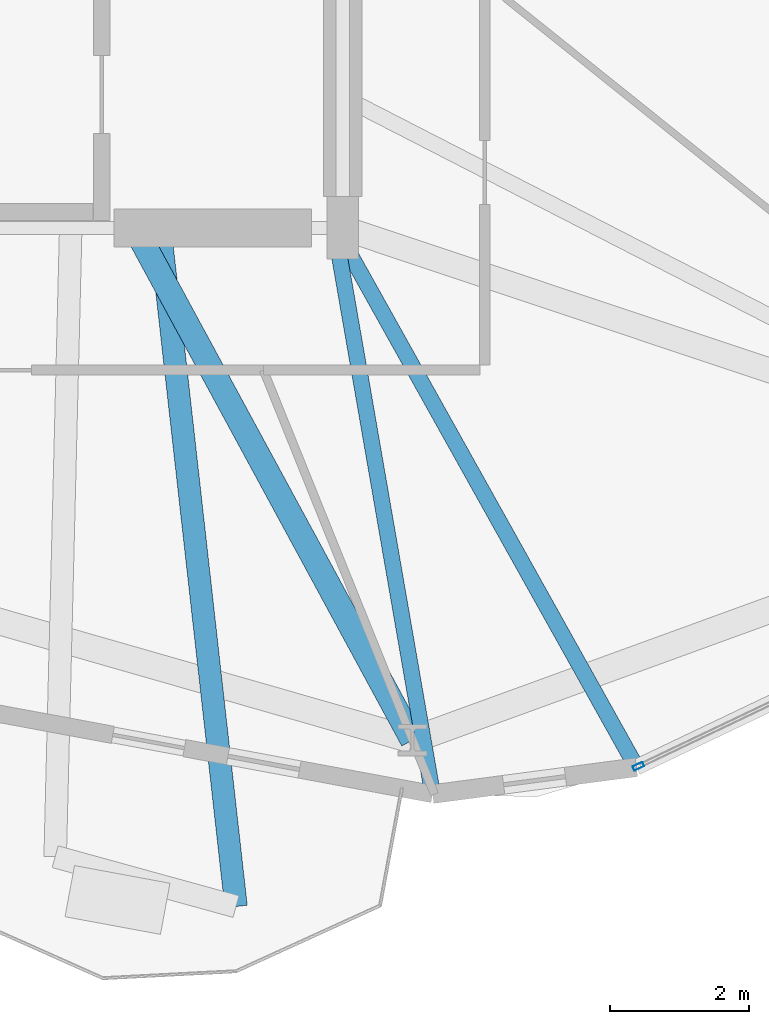
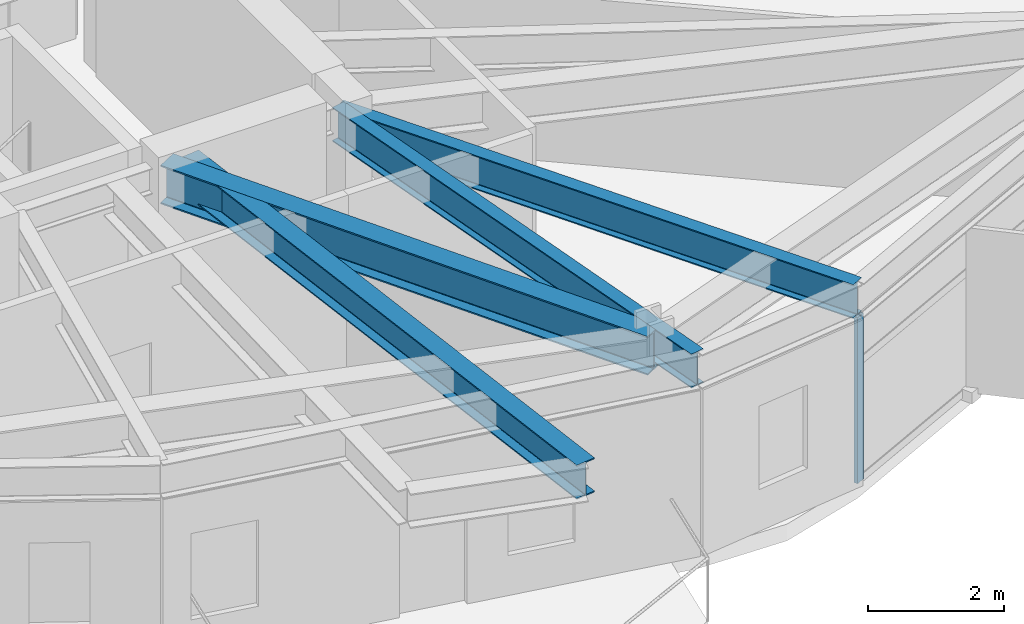
# One storey, part 5 of 25: 4 beams, 1 member, 1 element without a shape of its own.
"""IFC4 building model written with IfcOpenShell, lengths in metres."""

from ifc_helpers import new_model, si_unit, direction, frame, origin, origin_2d, place, context, subcontext, project, spatial, hollow_rectangle, i_section, extrude, material, layer, layer_set, material_profile, profile_set, type_object, element, aggregate, save


model = new_model("IFC4")

# Units and contexts
model_context = context("Model", 3, precision=1e-05, world=origin(), true_north=direction((0.0, 1.0)))
body_context = subcontext(model_context, "Body", "Model", "MODEL_VIEW")
ifc_project = project(units=[si_unit("LENGTHUNIT", "METRE"), si_unit("AREAUNIT", "SQUARE_METRE"), si_unit("VOLUMEUNIT", "CUBIC_METRE"), si_unit("PLANEANGLEUNIT", "RADIAN"), si_unit("MASSUNIT", "GRAM", prefix="KILO")], contexts=[model_context])

# Site, building, storey
site_placement = place(None, origin())
site = spatial("IfcSite", under=ifc_project, at=site_placement, CompositionType="ELEMENT")
building_placement = place(site_placement, origin())
building = spatial("IfcBuilding", under=site, at=building_placement, Name="Soratama Intermodal Tower", CompositionType="ELEMENT")
storey_placement = place(building_placement, frame((0.0, 0.0, 126.39990234375)))
storey = spatial("IfcBuildingStorey", under=building, at=storey_placement, Name="L30", CompositionType="ELEMENT", Elevation=126.39990234375)

# Beams
ifc_material_1 = material(Name="Structural steel ASTM A992 Grade 50", Category="steel")
ifc_material_profile_1 = material_profile(ifc_material_1, i_section(OverallWidth=0.324951171875, OverallDepth=0.615966796875, WebThickness=0.013916015625, FlangeThickness=0.021484375, FilletRadius=0.013916015625, at=origin_2d()), Name="W24X117")
ifc_profile_set_1 = profile_set([ifc_material_profile_1], Name="Structural steel ASTM A992 Grade 50")
beam_type_1 = type_object("IfcBeamType", Name="BM-CANT-W24X117", PredefinedType="BEAM", material=ifc_profile_set_1)
beam_1_placement = place(storey_placement, frame((41.966064453125, 14.9599609375, 3.2919921875), z_axis=(0.111504807962, -0.993763894394, 0.0), x_axis=(0.993763894394, 0.111504807962, 0.0)))
element("IfcBeam", 1, at=beam_1_placement, inside=storey, type_object=beam_type_1, Name="BM-L30-CANT-3-2", PredefinedType="BEAM", context=body_context, shape_type="SweptSolid", body=[
    extrude(i_section(OverallWidth=0.324951171875, OverallDepth=0.615966796875, WebThickness=0.013916015625, FlangeThickness=0.021484375, FilletRadius=0.013916015625, at=origin_2d()), origin(), (0.0, 0.0, 1.0), 9.811279296875),
])
ifc_material_2 = material(Name="Structural steel ASTM A992 Grade 50", Category="steel")
ifc_material_profile_2 = material_profile(ifc_material_2, i_section(OverallWidth=0.35498046875, OverallDepth=0.695068359375, WebThickness=0.015380859375, FlangeThickness=0.02490234375, FilletRadius=0.01611328125, at=origin_2d()), Name="W27X146")
ifc_profile_set_2 = profile_set([ifc_material_profile_2], Name="Structural steel ASTM A992 Grade 50")
beam_type_2 = type_object("IfcBeamType", Name="BM-RING-W27X146", PredefinedType="BEAM", material=ifc_profile_set_2)
beam_2_placement = place(storey_placement, frame((41.60009765625, 15.0, 3.252685546875), z_axis=(0.476697610532, -0.879067339919, 0.0), x_axis=(0.879067339919, 0.476697610532, 0.0)))
element("IfcBeam", 2, at=beam_2_placement, inside=storey, type_object=beam_type_2, Name="BM-L30-RAD-08", PredefinedType="BEAM", context=body_context, shape_type="SweptSolid", body=[
    extrude(i_section(OverallWidth=0.35498046875, OverallDepth=0.695068359375, WebThickness=0.015380859375, FlangeThickness=0.02490234375, FilletRadius=0.01611328125, at=origin_2d()), origin(), (0.0, 0.0, 1.0), 8.405517578125),
])
ifc_material_3 = material(Name="Structural steel ASTM A992 Grade 50", Category="steel")
ifc_material_profile_3 = material_profile(ifc_material_3, i_section(OverallWidth=0.22900390625, OverallDepth=0.612060546875, WebThickness=0.011962890625, FlangeThickness=0.01953125, FilletRadius=0.012939453125, at=origin_2d()), Name="W24X84")
ifc_profile_set_3 = profile_set([ifc_material_profile_3], Name="Structural steel ASTM A992 Grade 50")
beam_type_3 = type_object("IfcBeamType", Name="BM-TIE-W24X84", PredefinedType="BEAM", material=ifc_profile_set_3)
beam_3_placement = place(storey_placement, frame((44.488037109375, 14.9609375, 3.294189453125), z_axis=(0.170662992279, -0.985329459149, 0.0), x_axis=(0.985329459149, 0.170662992279, 0.0)))
element("IfcBeam", 3, at=beam_3_placement, inside=storey, type_object=beam_type_3, Name="BM-L30-TIE1-07", PredefinedType="BEAM", context=body_context, shape_type="SweptSolid", body=[
    extrude(i_section(OverallWidth=0.22900390625, OverallDepth=0.612060546875, WebThickness=0.011962890625, FlangeThickness=0.01953125, FilletRadius=0.012939453125, at=origin_2d()), origin(), (0.0, 0.0, 1.0), 8.25),
])
beam_4_placement = place(storey_placement, frame((44.511962890625, 14.965087890625, 3.294189453125), z_axis=(0.487499368326, -0.873123339444, 0.0), x_axis=(0.873123339444, 0.487499368326, 0.0)))
element("IfcBeam", 4, at=beam_4_placement, inside=storey, type_object=beam_type_3, Name="BM-L30-TIE0-08", PredefinedType="BEAM", context=body_context, shape_type="SweptSolid", body=[
    extrude(i_section(OverallWidth=0.22900390625, OverallDepth=0.612060546875, WebThickness=0.011962890625, FlangeThickness=0.01953125, FilletRadius=0.012939453125, at=origin_2d()), origin(), (0.0, 0.0, 1.0), 8.871826171875),
])

# Curtain wall, member
ifc_material_4 = material(Name="Double-glazed aluminium curtain wall", Category="aluminium")
ifc_layer = layer(ifc_material_4, 0.159912109375)
ifc_layer_set = layer_set([ifc_layer], Name="Double-glazed aluminium curtain wall")
curtain_wall_type = type_object("IfcCurtainWallType", Name="CW-SYS-3", PredefinedType="NOTDEFINED", material=ifc_layer_set)
curtain_wall_placement = place(storey_placement, origin())
curtain_wall = element("IfcCurtainWall", 5, at=curtain_wall_placement, inside=storey, type_object=curtain_wall_type, Name="L30 Faceted Curtain Wall F08", PredefinedType="NOTDEFINED")
ifc_material_5 = material(Name="Anodised aluminium AA 6063-T6", Category="aluminium")
ifc_material_profile_4 = material_profile(ifc_material_5, hollow_rectangle(XDim=0.070068359375, YDim=0.159912109375, WallThickness=0.0048828125, InnerFilletRadius=0.0048828125, OuterFilletRadius=0.010009765625, at=origin_2d()), Name="CWM160X70X5")
ifc_profile_set_4 = profile_set([ifc_material_profile_4], Name="Anodised aluminium AA 6063-T6")
member_type = type_object("IfcMemberType", Name="MT-CWM-3", PredefinedType="MULLION", material=ifc_profile_set_4)
member_placement = place(storey_placement, frame((48.864013671875, 7.23193359375, 0.0), z_axis=(0.0, 0.0, 1.0), x_axis=(-0.430503472363, 0.902588920984, 0.0)))
member = element("IfcMember", 6, at=member_placement, type_object=member_type, Name="CW-3 mullion 1", PredefinedType="MULLION", context=body_context, shape_type="SweptSolid", body=[
    extrude(hollow_rectangle(XDim=0.070068359375, YDim=0.159912109375, WallThickness=0.0048828125, InnerFilletRadius=0.0048828125, OuterFilletRadius=0.010009765625, at=origin_2d()), origin(), (0.0, 0.0, 1.0), 2.97900390625),
])
aggregate(curtain_wall, [member])

save(model, "model.ifc")
